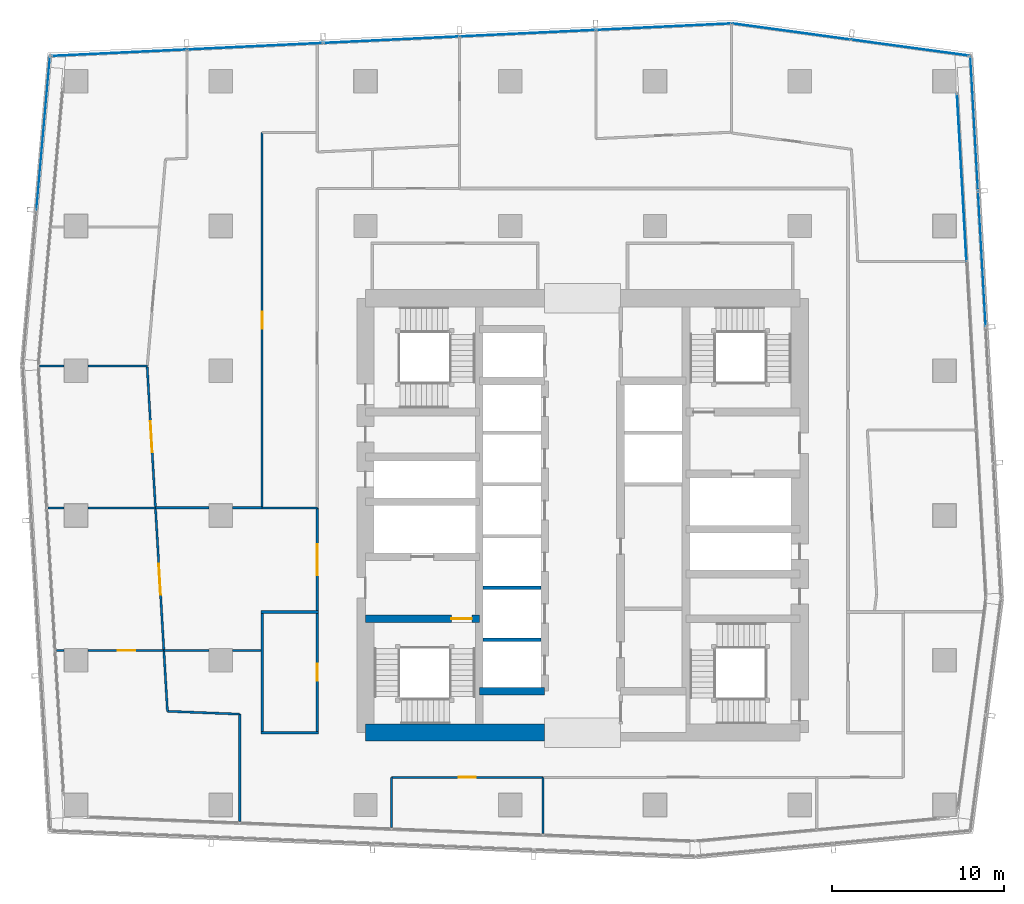
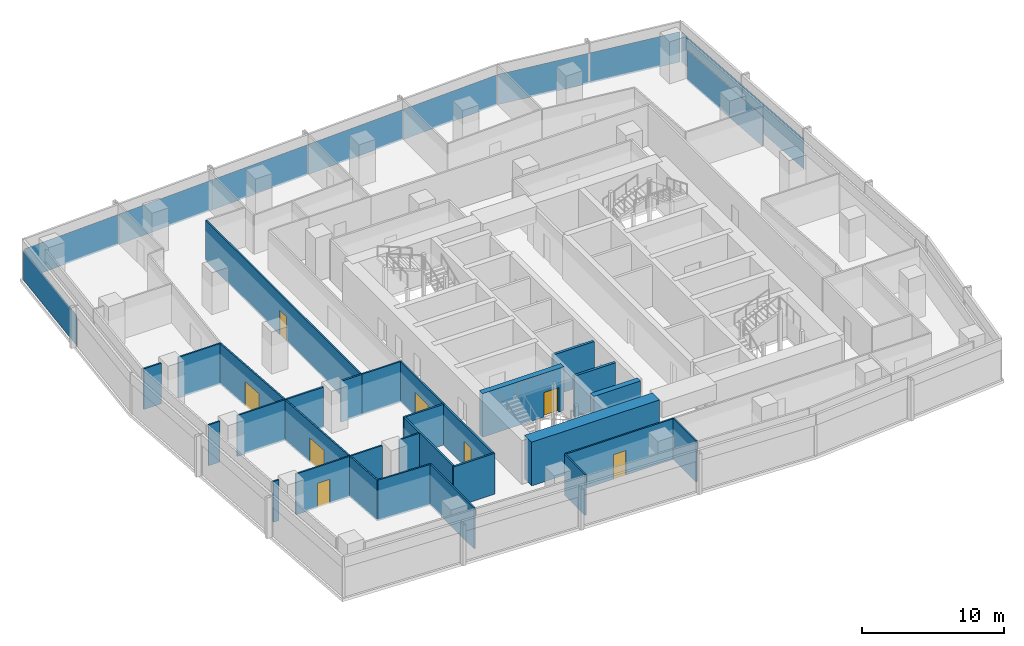
# One storey, part 27 of 39: 30 walls, 11 plates, 8 doors, 8 openings, 5 elements without a shape of their own.
"""IFC4 building model written with IfcOpenShell, lengths in metres."""

from ifc_helpers import new_model, si_unit, direction, frame, frame_2d, origin, origin_2d, place, context, subcontext, project, spatial, rectangle, extrude, material, layer, layer_set, type_object, element, fill, aggregate, save


model = new_model("IFC4")

# Units and contexts
model_context = context("Model", 3, precision=1e-05, world=origin(), true_north=direction((0.0, 1.0)))
body_context = subcontext(model_context, "Body", "Model", "MODEL_VIEW")
ifc_project = project(units=[si_unit("LENGTHUNIT", "METRE"), si_unit("AREAUNIT", "SQUARE_METRE"), si_unit("VOLUMEUNIT", "CUBIC_METRE"), si_unit("PLANEANGLEUNIT", "RADIAN"), si_unit("MASSUNIT", "GRAM", prefix="KILO")], contexts=[model_context])

# Site, building, storey
site_placement = place(None, origin())
site = spatial("IfcSite", under=ifc_project, at=site_placement, CompositionType="ELEMENT")
building_placement = place(site_placement, origin())
building = spatial("IfcBuilding", under=site, at=building_placement, Name="Rekha Terrace Tower", CompositionType="ELEMENT")
storey_placement = place(building_placement, frame((0.0, 0.0, 217.699951171875)))
storey = spatial("IfcBuildingStorey", under=building, at=storey_placement, Name="L55", CompositionType="ELEMENT", Elevation=217.699951171875)

# Curtain wall, plate
ifc_material_1 = material(Name="Aluminium framing", Category="aluminium")
curtain_wall_type_1 = type_object("IfcCurtainWallType", Name="CW1 double skin inner glazing", PredefinedType="USERDEFINED", material=ifc_material_1)
curtain_wall_1_placement = place(storey_placement, origin())
curtain_wall_1 = element("IfcCurtainWall", 1, at=curtain_wall_1_placement, inside=storey, type_object=curtain_wall_type_1, Name="CW1 double skin inner glazing", ObjectType="DOUBLE SKIN INNER GLAZING", PredefinedType="USERDEFINED")
ifc_material_2 = material(Name="Double-glazed low-e unit 32", Category="glass")
ifc_layer_1 = layer(ifc_material_2, 0.031982421875)
ifc_layer_set_1 = layer_set([ifc_layer_1], Name="Double-glazed low-e unit 32")
plate_type_1 = type_object("IfcPlateType", Name="CW1 jumbo vision panel, double-glazed low-e unit 32", PredefinedType="CURTAIN_PANEL", material=ifc_layer_set_1)
plate_1_placement = place(storey_placement, frame((59.799560546875, 53.203369140625, 0.0), z_axis=(0.0, 0.0, 1.0), x_axis=(-0.05667319486, 0.998392782919, 0.0)))
plate_1 = element("IfcPlate", 2, at=plate_1_placement, type_object=plate_type_1, Name="CW1 panel 3.1", PredefinedType="CURTAIN_PANEL", context=body_context, shape_type="SweptSolid", body=[
    extrude(rectangle(XDim=9.694091796875, YDim=0.031982421875, at=origin_2d()), origin(), (0.0, 0.0, 1.0), 2.60009765625),
])
aggregate(curtain_wall_1, [plate_1])

# Curtain wall, plates
curtain_wall_type_2 = type_object("IfcCurtainWallType", Name="CW2 double skin outer glazing", PredefinedType="USERDEFINED", material=ifc_material_1)
curtain_wall_2_placement = place(storey_placement, origin())
curtain_wall_2 = element("IfcCurtainWall", 3, at=curtain_wall_2_placement, inside=storey, type_object=curtain_wall_type_2, Name="CW2 double skin outer glazing", ObjectType="DOUBLE SKIN OUTER GLAZING", PredefinedType="USERDEFINED")
ifc_material_3 = material(Name="Toughened single glazing 12", Category="glass")
ifc_layer_2 = layer(ifc_material_3, 0.011962890625)
ifc_layer_set_2 = layer_set([ifc_layer_2], Name="Toughened single glazing 12")
plate_type_2 = type_object("IfcPlateType", Name="CW2 jumbo vision panel, toughened single glazing 12", PredefinedType="CURTAIN_PANEL", material=ifc_layer_set_2)
plate_2_placement = place(storey_placement, frame((60.9697265625, 48.47314453125, 0.0), z_axis=(0.0, 0.0, 1.0), x_axis=(-0.05667319486, 0.998392782919, 0.0)))
plate_2 = element("IfcPlate", 4, at=plate_2_placement, type_object=plate_type_2, Name="CW2 panel 3.1", PredefinedType="CURTAIN_PANEL", context=body_context, shape_type="SweptSolid", body=[
    extrude(rectangle(XDim=7.823486328125, YDim=0.011962890625, at=origin_2d()), origin(), (0.0, 0.0, 1.0), 2.60009765625),
])
plate_3_placement = place(storey_placement, frame((60.522705078125, 56.343994140625, 0.0), z_axis=(0.0, 0.0, 1.0), x_axis=(-0.05667319486, 0.998392782919, 0.0)))
plate_3 = element("IfcPlate", 5, at=plate_3_placement, type_object=plate_type_2, Name="CW2 panel 4.1", PredefinedType="CURTAIN_PANEL", context=body_context, shape_type="SweptSolid", body=[
    extrude(rectangle(XDim=7.783447265625, YDim=0.011962890625, at=origin_2d()), origin(), (0.0, 0.0, 1.0), 2.60009765625),
])
aggregate(curtain_wall_2, [plate_2, plate_3])

# Curtain wall, plate
curtain_wall_3_placement = place(storey_placement, origin())
curtain_wall_3 = element("IfcCurtainWall", 6, at=curtain_wall_3_placement, inside=storey, type_object=curtain_wall_type_2, Name="CW2 double skin outer glazing", ObjectType="DOUBLE SKIN OUTER GLAZING", PredefinedType="USERDEFINED")
plate_4_placement = place(storey_placement, frame((6.498779296875, 55.78466796875, 0.0), z_axis=(0.0, 0.0, 1.0), x_axis=(-0.087957985453, -0.996124185428, 0.0)))
plate_4 = element("IfcPlate", 7, at=plate_4_placement, type_object=plate_type_2, Name="CW2 panel 1.1", PredefinedType="CURTAIN_PANEL", context=body_context, shape_type="SweptSolid", body=[
    extrude(rectangle(XDim=8.899658203125, YDim=0.011962890625, at=origin_2d()), origin(), (0.0, 0.0, 1.0), 2.60009765625),
])
aggregate(curtain_wall_3, [plate_4])

# Curtain wall, plates
curtain_wall_type_3 = type_object("IfcCurtainWallType", Name="CW3 north unitised glazing", PredefinedType="USERDEFINED", material=ifc_material_1)
curtain_wall_4_placement = place(storey_placement, origin())
curtain_wall_4 = element("IfcCurtainWall", 8, at=curtain_wall_4_placement, inside=storey, type_object=curtain_wall_type_3, Name="CW3 unitised curtain wall", ObjectType="UNITISED CURTAIN WALL", PredefinedType="USERDEFINED")
ifc_material_4 = material(Name="Double-glazed unit 28", Category="glass")
ifc_layer_3 = layer(ifc_material_4, 0.028076171875)
ifc_layer_set_3 = layer_set([ifc_layer_3], Name="Double-glazed unit 28")
plate_type_3 = type_object("IfcPlateType", Name="CW3 jumbo vision panel, double-glazed unit 28", PredefinedType="CURTAIN_PANEL", material=ifc_layer_set_3)
plate_5_placement = place(storey_placement, frame((56.797119140625, 60.745361328125, 0.0), z_axis=(0.0, 0.0, 1.0), x_axis=(-0.990867270504, 0.134840840416, 0.0)))
plate_5 = element("IfcPlate", 9, at=plate_5_placement, type_object=plate_type_3, Name="CW3 panel 1.1", PredefinedType="CURTAIN_PANEL", context=body_context, shape_type="SweptSolid", body=[
    extrude(rectangle(XDim=6.8486328125, YDim=0.028076171875, at=origin_2d()), origin(), (0.0, 0.0, 1.0), 2.60009765625),
])
plate_6_placement = place(storey_placement, frame((49.906982421875, 61.682861328125, 0.0), z_axis=(0.0, 0.0, 1.0), x_axis=(-0.990867270504, 0.134840840416, 0.0)))
plate_6 = element("IfcPlate", 10, at=plate_6_placement, type_object=plate_type_3, Name="CW3 panel 2.1", PredefinedType="CURTAIN_PANEL", context=body_context, shape_type="SweptSolid", body=[
    extrude(rectangle(XDim=6.918701171875, YDim=0.028076171875, at=origin_2d()), origin(), (0.0, 0.0, 1.0), 2.60009765625),
])
aggregate(curtain_wall_4, [plate_5, plate_6])

curtain_wall_5_placement = place(storey_placement, origin())
curtain_wall_5 = element("IfcCurtainWall", 11, at=curtain_wall_5_placement, inside=storey, type_object=curtain_wall_type_3, Name="CW3 unitised curtain wall", ObjectType="UNITISED CURTAIN WALL", PredefinedType="USERDEFINED")
plate_7_placement = place(storey_placement, frame((42.50732421875, 61.95947265625, 0.0), z_axis=(0.0, 0.0, 1.0), x_axis=(-0.998858906204, -0.047758616983, 0.0)))
plate_7 = element("IfcPlate", 12, at=plate_7_placement, type_object=plate_type_3, Name="CW3 panel 1.1", PredefinedType="CURTAIN_PANEL", context=body_context, shape_type="SweptSolid", body=[
    extrude(rectangle(XDim=7.81298828125, YDim=0.028076171875, at=origin_2d()), origin(), (0.0, 0.0, 1.0), 2.60009765625),
])
plate_8_placement = place(storey_placement, frame((34.61572265625, 61.58203125, 0.0), z_axis=(0.0, 0.0, 1.0), x_axis=(-0.998858906204, -0.047758616983, 0.0)))
plate_8 = element("IfcPlate", 13, at=plate_8_placement, type_object=plate_type_3, Name="CW3 panel 2.1", PredefinedType="CURTAIN_PANEL", context=body_context, shape_type="SweptSolid", body=[
    extrude(rectangle(XDim=7.84814453125, YDim=0.028076171875, at=origin_2d()), origin(), (0.0, 0.0, 1.0), 2.60009765625),
])
plate_9_placement = place(storey_placement, frame((26.70654296875, 61.203857421875, 0.0), z_axis=(0.0, 0.0, 1.0), x_axis=(-0.998858906204, -0.047758616983, 0.0)))
plate_9 = element("IfcPlate", 14, at=plate_9_placement, type_object=plate_type_3, Name="CW3 panel 3.1", PredefinedType="CURTAIN_PANEL", context=body_context, shape_type="SweptSolid", body=[
    extrude(rectangle(XDim=7.84814453125, YDim=0.028076171875, at=origin_2d()), origin(), (0.0, 0.0, 1.0), 2.60009765625),
])
plate_10_placement = place(storey_placement, frame((18.79736328125, 60.82568359375, 0.0), z_axis=(0.0, 0.0, 1.0), x_axis=(-0.998858906204, -0.047758616983, 0.0)))
plate_10 = element("IfcPlate", 15, at=plate_10_placement, type_object=plate_type_3, Name="CW3 panel 4.1", PredefinedType="CURTAIN_PANEL", context=body_context, shape_type="SweptSolid", body=[
    extrude(rectangle(XDim=7.84814453125, YDim=0.028076171875, at=origin_2d()), origin(), (0.0, 0.0, 1.0), 2.60009765625),
])
plate_11_placement = place(storey_placement, frame((10.906005859375, 60.448486328125, 0.0), z_axis=(0.0, 0.0, 1.0), x_axis=(-0.998858906204, -0.047758616983, 0.0)))
plate_11 = element("IfcPlate", 16, at=plate_11_placement, type_object=plate_type_3, Name="CW3 panel 5.1", PredefinedType="CURTAIN_PANEL", context=body_context, shape_type="SweptSolid", body=[
    extrude(rectangle(XDim=7.81298828125, YDim=0.028076171875, at=origin_2d()), origin(), (0.0, 0.0, 1.0), 2.60009765625),
])
aggregate(curtain_wall_5, [plate_7, plate_8, plate_9, plate_10, plate_11])

# Wall
ifc_material_5 = material(Name="Concrete M60", Category="concrete")
ifc_layer_4 = layer(ifc_material_5, 0.449951171875)
ifc_layer_set_4 = layer_set([ifc_layer_4], Name="Concrete M60")
wall_type_1 = type_object("IfcWallType", Name="CI3 450 core internal shear wall", PredefinedType="SHEAR", material=ifc_layer_set_4)
wall_1_placement = place(storey_placement, frame((31.800048828125, 23.39990234375, 0.0), z_axis=(0.0, 0.0, 1.0), x_axis=(1.0, 0.0, 0.0)))
element("IfcWall", 17, at=wall_1_placement, inside=storey, type_object=wall_type_1, Name="Core wall Y234W L55", PredefinedType="SHEAR", context=body_context, shape_type="SweptSolid", body=[
    extrude(rectangle(XDim=3.800048828125, YDim=0.449951171875, at=frame_2d((1.89990234375, 0.0))), origin(), (0.0, 0.0, 1.0), 3.75),
])

# Wall, opening, door
wall_2_placement = place(storey_placement, frame((25.199951171875, 27.60009765625, 0.0), z_axis=(0.0, 0.0, 1.0), x_axis=(1.0, 0.0, 0.0)))
wall_2 = element("IfcWall", 18, at=wall_2_placement, inside=storey, type_object=wall_type_1, Name="Core wall Y276W L55", PredefinedType="SHEAR", context=body_context, shape_type="SweptSolid", body=[
    extrude(rectangle(XDim=6.60009765625, YDim=0.449951171875, at=frame_2d((3.300048828125, 0.0))), origin(), (0.0, 0.0, 1.0), 3.75),
])
opening_1_placement = place(wall_2_placement, frame((4.97509765625, 0.0, 0.0)))
opening_1 = element("IfcOpeningElement", 19, at=opening_1_placement, cuts=wall_2, Name="Opening D1", PredefinedType="OPENING", context=body_context, shape_type="SweptSolid", body=[
    extrude(rectangle(XDim=1.199951171875, YDim=2.10009765625, at=frame_2d((0.60009765625, 1.050048828125))), frame((0.0, 0.23486328125, 0.0), z_axis=(0.0, -1.0, 0.0), x_axis=(1.0, 0.0, 0.0)), (0.0, 0.0, 1.0), 0.469970703125),
])
ifc_material_6 = material(Name="Steel fire door", Category="steel")
door_type_1 = type_object("IfcDoorType", Name="D1 1200x2100 stair fire door", OperationType="SINGLE_SWING_RIGHT", PredefinedType="DOOR", material=ifc_material_6)
door_1_placement = place(opening_1_placement, origin())
door_1 = element("IfcDoor", 20, at=door_1_placement, inside=storey, type_object=door_type_1, Name="Stair ST1 door L55", OperationType="SINGLE_SWING_RIGHT", OverallHeight=2.10009765625, OverallWidth=1.199951171875, PredefinedType="DOOR", context=body_context, shape_type="SweptSolid", body=[
    extrude(rectangle(XDim=1.199951171875, YDim=2.10009765625, at=frame_2d((0.60009765625, 1.050048828125))), frame((0.0, 0.02490234375, 0.0), z_axis=(0.0, -1.0, 0.0), x_axis=(1.0, 0.0, 0.0)), (0.0, 0.0, 1.0), 0.050048828125),
])
fill(opening_1, door_1)

# Walls
ifc_layer_5 = layer(ifc_material_5, 1.0)
ifc_layer_set_5 = layer_set([ifc_layer_5], Name="Concrete M60")
wall_type_2 = type_object("IfcWallType", Name="SW3 1000 core outer shear wall", PredefinedType="SHEAR", material=ifc_layer_set_5)
wall_3_placement = place(storey_placement, frame((25.199951171875, 21.0, 0.0), z_axis=(0.0, 0.0, 1.0), x_axis=(1.0, 0.0, 0.0)))
element("IfcWall", 21, at=wall_3_placement, inside=storey, type_object=wall_type_2, Name="Core wall S1 L55", PredefinedType="SHEAR", context=body_context, shape_type="SweptSolid", body=[
    extrude(rectangle(XDim=10.400146484375, YDim=1.0, at=frame_2d((5.2001953125, 0.0))), origin(), (0.0, 0.0, 1.0), 3.75),
])
ifc_material_7 = material(Name="Concrete block masonry, 1 hour", Category="masonry")
ifc_layer_6 = layer(ifc_material_7, 0.14990234375)
ifc_layer_set_6 = layer_set([ifc_layer_6], Name="Concrete block masonry, 1 hour")
wall_type_3 = type_object("IfcWallType", Name="WP2 150 tenancy partition", PredefinedType="PARTITIONING", material=ifc_layer_set_6)
for number, where, z_axis, x_axis, name in (
    (22, (19.125, 21.0, 0.0), (0.0, 0.0, 1.0), (1.0, 0.0, 0.0), "Men's WC wall L55"),
    (23, (19.125, 28.0, 0.0), (0.0, 0.0, 1.0), (1.0, 0.0, 0.0), "Men's WC wall L55"),
):
    element("IfcWall", number, at=place(storey_placement, frame(where, z_axis=z_axis, x_axis=x_axis)), inside=storey, type_object=wall_type_3, Name=name, PredefinedType="PARTITIONING", context=body_context, shape_type="SweptSolid", body=[
        extrude(rectangle(XDim=3.35009765625, YDim=0.14990234375, at=frame_2d((1.675048828125, 0.0))), origin(), (0.0, 0.0, 1.0), 3.5),
    ])
wall_4_placement = place(storey_placement, frame((19.199951171875, 21.074951171875, 0.0), z_axis=(0.0, 0.0, 1.0), x_axis=(0.0, 1.0, 0.0)))
element("IfcWall", 24, at=wall_4_placement, inside=storey, type_object=wall_type_3, Name="Men's WC wall L55", PredefinedType="PARTITIONING", context=body_context, shape_type="SweptSolid", body=[
    extrude(rectangle(XDim=6.85009765625, YDim=0.14990234375, at=frame_2d((3.425048828125, 0.0))), origin(), (0.0, 0.0, 1.0), 3.5),
])

# Wall, opening, door
wall_5_placement = place(storey_placement, frame((22.39990234375, 21.074951171875, 0.0), z_axis=(0.0, 0.0, 1.0), x_axis=(0.0, 1.0, 0.0)))
wall_5 = element("IfcWall", 25, at=wall_5_placement, inside=storey, type_object=wall_type_3, Name="Men's WC wall L55", PredefinedType="PARTITIONING", context=body_context, shape_type="SweptSolid", body=[
    extrude(rectangle(XDim=6.85009765625, YDim=0.14990234375, at=frame_2d((3.425048828125, 0.0))), origin(), (0.0, 0.0, 1.0), 3.5),
])
opening_2_placement = place(wall_5_placement, frame((2.925048828125, 0.0, 0.0)))
opening_2 = element("IfcOpeningElement", 26, at=opening_2_placement, cuts=wall_5, Name="Opening D3", PredefinedType="OPENING", context=body_context, shape_type="SweptSolid", body=[
    extrude(rectangle(XDim=1.0, YDim=2.10009765625, at=frame_2d((0.5, 1.050048828125))), frame((0.0, 0.0849609375, 0.0), z_axis=(0.0, -1.0, 0.0), x_axis=(1.0, 0.0, 0.0)), (0.0, 0.0, 1.0), 0.169921875),
])
ifc_material_8 = material(Name="Laminated timber fire door", Category="wood")
door_type_2 = type_object("IfcDoorType", Name="D3 1000x2100 WC door", OperationType="SINGLE_SWING_LEFT", PredefinedType="DOOR", material=ifc_material_8)
door_2_placement = place(opening_2_placement, origin())
door_2 = element("IfcDoor", 27, at=door_2_placement, inside=storey, type_object=door_type_2, Name="Door men's wc L55", OperationType="SINGLE_SWING_LEFT", OverallHeight=2.10009765625, OverallWidth=1.0, PredefinedType="DOOR", context=body_context, shape_type="SweptSolid", body=[
    extrude(rectangle(XDim=1.0, YDim=2.10009765625, at=frame_2d((0.5, 1.050048828125))), frame((0.0, 0.02490234375, 0.0), z_axis=(0.0, -1.0, 0.0), x_axis=(1.0, 0.0, 0.0)), (0.0, 0.0, 1.0), 0.050048828125),
])
fill(opening_2, door_2)

# Walls
wall_6_placement = place(storey_placement, frame((19.199951171875, 34.0400390625, 0.0), z_axis=(0.0, 0.0, 1.0), x_axis=(-1.0, 0.0, 0.0)))
element("IfcWall", 28, at=wall_6_placement, inside=storey, type_object=wall_type_3, Name="Partition L55-O1b", PredefinedType="PARTITIONING", context=body_context, shape_type="SweptSolid", body=[
    extrude(rectangle(XDim=1.704833984375, YDim=0.14990234375, at=frame_2d((0.8525390625, 0.0))), origin(), (0.0, 0.0, 1.0), 3.5),
])
wall_7_placement = place(storey_placement, frame((16.10498046875, 34.0400390625, 0.0), z_axis=(0.0, 0.0, 1.0), x_axis=(-1.0, 0.0, 0.0)))
element("IfcWall", 29, at=wall_7_placement, inside=storey, type_object=wall_type_3, Name="Partition L55-O1b", PredefinedType="PARTITIONING", context=body_context, shape_type="SweptSolid", body=[
    extrude(rectangle(XDim=3.093994140625, YDim=0.14990234375, at=frame_2d((1.546875, 0.0))), origin(), (0.0, 0.0, 1.0), 3.5),
])
ifc_material_9 = material(Name="Two layers of fire-rated gypsum board each side on steel studs, acoustic quilt, 1 hour", Category="steel")
ifc_layer_7 = layer(ifc_material_9, 0.125)
ifc_layer_set_7 = layer_set([ifc_layer_7], Name="Two layers of fire-rated gypsum board each side on steel studs, acoustic quilt, 1 hour")
wall_type_4 = type_object("IfcWallType", Name="WP3 125 office partition", PredefinedType="PARTITIONING", material=ifc_layer_set_7)
wall_8_placement = place(storey_placement, frame((35.508056640625, 15.14306640625, 0.0), z_axis=(0.0, 0.0, 1.0), x_axis=(0.0, 1.0, 0.0)))
element("IfcWall", 30, at=wall_8_placement, inside=storey, type_object=wall_type_4, Name="Partition L55-02", PredefinedType="PARTITIONING", context=body_context, shape_type="SweptSolid", body=[
    extrude(rectangle(XDim=3.2568359375, YDim=0.125, at=frame_2d((1.62841796875, 0.0))), origin(), (0.0, 0.0, 1.0), 3.5),
])
wall_9_placement = place(storey_placement, frame((12.534912109375, 42.282958984375, 0.0), z_axis=(0.0, 0.0, 1.0), x_axis=(-1.0, 0.0, 0.0)))
element("IfcWall", 31, at=wall_9_placement, inside=storey, type_object=wall_type_4, Name="Partition L55-09", PredefinedType="PARTITIONING", context=body_context, shape_type="SweptSolid", body=[
    extrude(rectangle(XDim=3.43994140625, YDim=0.125, at=frame_2d((1.719970703125, 0.0))), origin(), (0.0, 0.0, 1.0), 3.5),
])
wall_10_placement = place(storey_placement, frame((7.705078125, 42.282958984375, 0.0), z_axis=(0.0, 0.0, 1.0), x_axis=(-1.0, 0.0, 0.0)))
element("IfcWall", 32, at=wall_10_placement, inside=storey, type_object=wall_type_4, Name="Partition L55-09", PredefinedType="PARTITIONING", context=body_context, shape_type="SweptSolid", body=[
    extrude(rectangle(XDim=1.41015625, YDim=0.125, at=frame_2d((0.705078125, 0.0))), origin(), (0.0, 0.0, 1.0), 3.5),
])

# Wall, opening, door
wall_11_placement = place(storey_placement, frame((12.530029296875, 42.220947265625, 0.0), z_axis=(0.0, 0.0, 1.0), x_axis=(0.058695823025, -0.998275913943, 0.0)))
wall_11 = element("IfcWall", 33, at=wall_11_placement, inside=storey, type_object=wall_type_4, Name="Partition L55-10", PredefinedType="PARTITIONING", context=body_context, shape_type="SweptSolid", body=[
    extrude(rectangle(XDim=8.194091796875, YDim=0.125, at=frame_2d((4.09716796875, 0.0))), origin(), (0.0, 0.0, 1.0), 3.5),
])
opening_3_placement = place(wall_11_placement, frame((3.1650390625, 0.0, 0.0)))
opening_3 = element("IfcOpeningElement", 34, at=opening_3_placement, cuts=wall_11, Name="Opening D8", PredefinedType="OPENING", context=body_context, shape_type="SweptSolid", body=[
    extrude(rectangle(XDim=1.800048828125, YDim=2.10009765625, at=frame_2d((0.89990234375, 1.050048828125))), frame((0.0, 0.072509765625, 0.0), z_axis=(0.0, -1.0, 0.0), x_axis=(1.0, 0.0, 0.0)), (0.0, 0.0, 1.0), 0.14501953125),
])
ifc_material_10 = material(Name="Timber fire door", Category="wood")
door_type_3 = type_object("IfcDoorType", Name="D8 1800x2100 double leaf door", OperationType="DOUBLE_DOOR_SINGLE_SWING", PredefinedType="DOOR", material=ifc_material_10)
door_3_placement = place(opening_3_placement, origin())
door_3 = element("IfcDoor", 35, at=door_3_placement, inside=storey, type_object=door_type_3, Name="Door meeting room L55", OperationType="DOUBLE_DOOR_SINGLE_SWING", OverallHeight=2.10009765625, OverallWidth=1.800048828125, PredefinedType="DOOR", context=body_context, shape_type="SweptSolid", body=[
    extrude(rectangle(XDim=1.800048828125, YDim=2.10009765625, at=frame_2d((0.89990234375, 1.050048828125))), frame((0.0, 0.02490234375, 0.0), z_axis=(0.0, -1.0, 0.0), x_axis=(1.0, 0.0, 0.0)), (0.0, 0.0, 1.0), 0.050048828125),
])
fill(opening_3, door_3)

# Walls
wall_12_placement = place(storey_placement, frame((13.010986328125, 34.041015625, 0.0), z_axis=(0.0, 0.0, 1.0), x_axis=(-1.0, 0.0, 0.0)))
element("IfcWall", 36, at=wall_12_placement, inside=storey, type_object=wall_type_4, Name="Partition L55-10", PredefinedType="PARTITIONING", context=body_context, shape_type="SweptSolid", body=[
    extrude(rectangle(XDim=3.916015625, YDim=0.125, at=frame_2d((1.9580078125, 0.0))), origin(), (0.0, 0.0, 1.0), 3.5),
])
wall_13_placement = place(storey_placement, frame((7.705078125, 34.041015625, 0.0), z_axis=(0.0, 0.0, 1.0), x_axis=(-1.0, 0.0, 0.0)))
element("IfcWall", 37, at=wall_13_placement, inside=storey, type_object=wall_type_4, Name="Partition L55-10", PredefinedType="PARTITIONING", context=body_context, shape_type="SweptSolid", body=[
    extrude(rectangle(XDim=0.925048828125, YDim=0.125, at=frame_2d((0.46240234375, 0.0))), origin(), (0.0, 0.0, 1.0), 3.5),
])
wall_14_placement = place(storey_placement, frame((7.26708984375, 25.76611328125, 0.0), z_axis=(0.0, 0.0, 1.0), x_axis=(1.0, 0.0, 0.0)))
element("IfcWall", 38, at=wall_14_placement, inside=storey, type_object=wall_type_4, Name="Partition L55-11", PredefinedType="PARTITIONING", context=body_context, shape_type="SweptSolid", body=[
    extrude(rectangle(XDim=0.43798828125, YDim=0.125, at=frame_2d((0.218994140625, 0.0))), origin(), (0.0, 0.0, 1.0), 3.5),
])

# Wall, opening, door
wall_15_placement = place(storey_placement, frame((9.094970703125, 25.76611328125, 0.0), z_axis=(0.0, 0.0, 1.0), x_axis=(1.0, 0.0, 0.0)))
wall_15 = element("IfcWall", 39, at=wall_15_placement, inside=storey, type_object=wall_type_4, Name="Partition L55-11", PredefinedType="PARTITIONING", context=body_context, shape_type="SweptSolid", body=[
    extrude(rectangle(XDim=4.403076171875, YDim=0.125, at=frame_2d((2.20166015625, 0.0))), origin(), (0.0, 0.0, 1.0), 3.5),
])
opening_4_placement = place(wall_15_placement, frame((1.737060546875, 0.0, 0.0)))
opening_4 = element("IfcOpeningElement", 40, at=opening_4_placement, cuts=wall_15, Name="Opening D9", PredefinedType="OPENING", context=body_context, shape_type="SweptSolid", body=[
    extrude(rectangle(XDim=1.0, YDim=2.10009765625, at=frame_2d((0.5, 1.050048828125))), frame((0.0, 0.072509765625, 0.0), z_axis=(0.0, -1.0, 0.0), x_axis=(1.0, 0.0, 0.0)), (0.0, 0.0, 1.0), 0.14501953125),
])
door_type_4 = type_object("IfcDoorType", Name="D9 1000x2100 office door", OperationType="SINGLE_SWING_LEFT", PredefinedType="DOOR", material=ifc_material_10)
door_4_placement = place(opening_4_placement, origin())
door_4 = element("IfcDoor", 41, at=door_4_placement, inside=storey, type_object=door_type_4, Name="Door director's office L55", OperationType="SINGLE_SWING_LEFT", OverallHeight=2.10009765625, OverallWidth=1.0, PredefinedType="DOOR", context=body_context, shape_type="SweptSolid", body=[
    extrude(rectangle(XDim=1.0, YDim=2.10009765625, at=frame_2d((0.5, 1.050048828125))), frame((0.0, 0.02490234375, 0.0), z_axis=(0.0, -1.0, 0.0), x_axis=(1.0, 0.0, 0.0)), (0.0, 0.0, 1.0), 0.050048828125),
])
fill(opening_4, door_4)

# Walls
wall_16_placement = place(storey_placement, frame((13.498046875, 25.76611328125, 0.0), z_axis=(0.0, 0.0, 1.0), x_axis=(0.058855654346, -0.998266503471, 0.0)))
element("IfcWall", 42, at=wall_16_placement, inside=storey, type_object=wall_type_4, Name="Partition L55-11", PredefinedType="PARTITIONING", context=body_context, shape_type="SweptSolid", body=[
    extrude(rectangle(XDim=3.5341796875, YDim=0.125, at=frame_2d((1.76708984375, 0.0))), origin(), (0.0, 0.0, 1.0), 3.5),
])
wall_17_placement = place(storey_placement, frame((13.7060546875, 22.238037109375, 0.0), z_axis=(0.0, 0.0, 1.0), x_axis=(0.999207821605, -0.039796095841, 0.0)))
element("IfcWall", 43, at=wall_17_placement, inside=storey, type_object=wall_type_4, Name="Partition L55-11", PredefinedType="PARTITIONING", context=body_context, shape_type="SweptSolid", body=[
    extrude(rectangle(XDim=4.1962890625, YDim=0.125, at=frame_2d((2.09814453125, 0.0))), origin(), (0.0, 0.0, 1.0), 3.5),
])
wall_18_placement = place(storey_placement, frame((17.89892578125, 22.071044921875, 0.0), z_axis=(0.0, 0.0, 1.0), x_axis=(0.0, -1.0, 0.0)))
element("IfcWall", 44, at=wall_18_placement, inside=storey, type_object=wall_type_4, Name="Partition L55-11", PredefinedType="PARTITIONING", context=body_context, shape_type="SweptSolid", body=[
    extrude(rectangle(XDim=6.22509765625, YDim=0.125, at=frame_2d((3.112548828125, 0.0))), origin(), (0.0, 0.0, 1.0), 3.5),
])

# Wall, opening, door
wall_19_placement = place(storey_placement, frame((26.7041015625, 18.39990234375, 0.0), z_axis=(0.0, 0.0, 1.0), x_axis=(1.0, 0.0, 0.0)))
wall_19 = element("IfcWall", 45, at=wall_19_placement, inside=storey, type_object=wall_type_4, Name="Partition L55-12", PredefinedType="PARTITIONING", context=body_context, shape_type="SweptSolid", body=[
    extrude(rectangle(XDim=8.802978515625, YDim=0.125, at=frame_2d((4.4013671875, 0.0))), origin(), (0.0, 0.0, 1.0), 3.5),
])
opening_5_placement = place(wall_19_placement, frame((3.90087890625, 0.0, 0.0)))
opening_5 = element("IfcOpeningElement", 46, at=opening_5_placement, cuts=wall_19, Name="Opening D9", PredefinedType="OPENING", context=body_context, shape_type="SweptSolid", body=[
    extrude(rectangle(XDim=1.0, YDim=2.10009765625, at=frame_2d((0.5, 1.050048828125))), frame((0.0, 0.072509765625, 0.0), z_axis=(0.0, -1.0, 0.0), x_axis=(1.0, 0.0, 0.0)), (0.0, 0.0, 1.0), 0.14501953125),
])
door_5_placement = place(opening_5_placement, origin())
door_5 = element("IfcDoor", 47, at=door_5_placement, inside=storey, type_object=door_type_4, Name="Door print room L55", OperationType="SINGLE_SWING_LEFT", OverallHeight=2.10009765625, OverallWidth=1.0, PredefinedType="DOOR", context=body_context, shape_type="SweptSolid", body=[
    extrude(rectangle(XDim=1.0, YDim=2.10009765625, at=frame_2d((0.5, 1.050048828125))), frame((0.0, 0.02490234375, 0.0), z_axis=(0.0, -1.0, 0.0), x_axis=(1.0, 0.0, 0.0)), (0.0, 0.0, 1.0), 0.050048828125),
])
fill(opening_5, door_5)

# Walls
wall_20_placement = place(storey_placement, frame((26.7041015625, 15.4951171875, 0.0), z_axis=(0.0, 0.0, 1.0), x_axis=(0.0, 1.0, 0.0)))
element("IfcWall", 48, at=wall_20_placement, inside=storey, type_object=wall_type_4, Name="Partition L55-12", PredefinedType="PARTITIONING", context=body_context, shape_type="SweptSolid", body=[
    extrude(rectangle(XDim=2.90478515625, YDim=0.125, at=frame_2d((1.452392578125, 0.0))), origin(), (0.0, 0.0, 1.0), 3.5),
])
wall_21_placement = place(storey_placement, frame((22.39990234375, 34.0400390625, 0.0), z_axis=(0.0, 0.0, 1.0), x_axis=(-1.0, 0.0, 0.0)))
element("IfcWall", 49, at=wall_21_placement, inside=storey, type_object=wall_type_4, Name="Partition L55-13", PredefinedType="PARTITIONING", context=body_context, shape_type="SweptSolid", body=[
    extrude(rectangle(XDim=3.199951171875, YDim=0.125, at=frame_2d((1.60009765625, 0.0))), origin(), (0.0, 0.0, 1.0), 3.5),
])

# Wall, opening, door
wall_22_placement = place(storey_placement, frame((19.199951171875, 34.0400390625, 0.0), z_axis=(0.0, 0.0, 1.0), x_axis=(0.0, 1.0, 0.0)))
wall_22 = element("IfcWall", 50, at=wall_22_placement, inside=storey, type_object=wall_type_4, Name="Partition L55-13", PredefinedType="PARTITIONING", context=body_context, shape_type="SweptSolid", body=[
    extrude(rectangle(XDim=21.7890625, YDim=0.125, at=frame_2d((10.89453125, 0.0))), origin(), (0.0, 0.0, 1.0), 3.5),
])
opening_6_placement = place(wall_22_placement, frame((10.39501953125, 0.0, 0.0)))
opening_6 = element("IfcOpeningElement", 51, at=opening_6_placement, cuts=wall_22, Name="Opening D9", PredefinedType="OPENING", context=body_context, shape_type="SweptSolid", body=[
    extrude(rectangle(XDim=1.0, YDim=2.10009765625, at=frame_2d((0.5, 1.050048828125))), frame((0.0, 0.072509765625, 0.0), z_axis=(0.0, -1.0, 0.0), x_axis=(1.0, 0.0, 0.0)), (0.0, 0.0, 1.0), 0.14501953125),
])
door_6_placement = place(opening_6_placement, origin())
door_6 = element("IfcDoor", 52, at=door_6_placement, inside=storey, type_object=door_type_4, Name="Door open-plan office L55", OperationType="SINGLE_SWING_LEFT", OverallHeight=2.10009765625, OverallWidth=1.0, PredefinedType="DOOR", context=body_context, shape_type="SweptSolid", body=[
    extrude(rectangle(XDim=1.0, YDim=2.10009765625, at=frame_2d((0.5, 1.050048828125))), frame((0.0, 0.02490234375, 0.0), z_axis=(0.0, -1.0, 0.0), x_axis=(1.0, 0.0, 0.0)), (0.0, 0.0, 1.0), 0.050048828125),
])
fill(opening_6, door_6)

wall_23_placement = place(storey_placement, frame((13.010986328125, 34.0400390625, 0.0), z_axis=(0.0, 0.0, 1.0), x_axis=(0.058765190518, -0.998271832911, 0.0)))
wall_23 = element("IfcWall", 53, at=wall_23_placement, inside=storey, type_object=wall_type_4, Name="Partition L55-15", PredefinedType="PARTITIONING", context=body_context, shape_type="SweptSolid", body=[
    extrude(rectangle(XDim=8.288330078125, YDim=0.125, at=frame_2d((4.14404296875, 0.0))), origin(), (0.0, 0.0, 1.0), 3.5),
])
opening_7_placement = place(wall_23_placement, frame((3.243896484375, 0.0, 0.0)))
opening_7 = element("IfcOpeningElement", 54, at=opening_7_placement, cuts=wall_23, Name="Opening D8", PredefinedType="OPENING", context=body_context, shape_type="SweptSolid", body=[
    extrude(rectangle(XDim=1.800048828125, YDim=2.10009765625, at=frame_2d((0.89990234375, 1.050048828125))), frame((0.0, 0.072509765625, 0.0), z_axis=(0.0, -1.0, 0.0), x_axis=(1.0, 0.0, 0.0)), (0.0, 0.0, 1.0), 0.14501953125),
])
door_7_placement = place(opening_7_placement, origin())
door_7 = element("IfcDoor", 55, at=door_7_placement, inside=storey, type_object=door_type_3, Name="Door board meeting room L55", OperationType="DOUBLE_DOOR_SINGLE_SWING", OverallHeight=2.10009765625, OverallWidth=1.800048828125, PredefinedType="DOOR", context=body_context, shape_type="SweptSolid", body=[
    extrude(rectangle(XDim=1.800048828125, YDim=2.10009765625, at=frame_2d((0.89990234375, 1.050048828125))), frame((0.0, 0.02490234375, 0.0), z_axis=(0.0, -1.0, 0.0), x_axis=(1.0, 0.0, 0.0)), (0.0, 0.0, 1.0), 0.050048828125),
])
fill(opening_7, door_7)

# Walls
wall_24_placement = place(storey_placement, frame((19.125, 25.76611328125, 0.0), z_axis=(0.0, 0.0, 1.0), x_axis=(-1.0, 0.0, 0.0)))
element("IfcWall", 56, at=wall_24_placement, inside=storey, type_object=wall_type_4, Name="Partition L55-16", PredefinedType="PARTITIONING", context=body_context, shape_type="SweptSolid", body=[
    extrude(rectangle(XDim=1.6298828125, YDim=0.125, at=frame_2d((0.81494140625, 0.0))), origin(), (0.0, 0.0, 1.0), 3.5),
])
wall_25_placement = place(storey_placement, frame((16.10498046875, 25.76611328125, 0.0), z_axis=(0.0, 0.0, 1.0), x_axis=(-1.0, 0.0, 0.0)))
element("IfcWall", 57, at=wall_25_placement, inside=storey, type_object=wall_type_4, Name="Partition L55-16", PredefinedType="PARTITIONING", context=body_context, shape_type="SweptSolid", body=[
    extrude(rectangle(XDim=2.60693359375, YDim=0.125, at=frame_2d((1.303466796875, 0.0))), origin(), (0.0, 0.0, 1.0), 3.5),
])

# Wall, opening, door
wall_26_placement = place(storey_placement, frame((22.39990234375, 34.0400390625, 0.0), z_axis=(0.0, 0.0, 1.0), x_axis=(0.0, -1.0, 0.0)))
wall_26 = element("IfcWall", 58, at=wall_26_placement, inside=storey, type_object=wall_type_4, Name="Partition L55-16", PredefinedType="PARTITIONING", context=body_context, shape_type="SweptSolid", body=[
    extrude(rectangle(XDim=5.965087890625, YDim=0.125, at=frame_2d((2.982421875, 0.0))), origin(), (0.0, 0.0, 1.0), 3.5),
])
opening_8_placement = place(wall_26_placement, frame((2.1201171875, 0.0, 0.0)))
opening_8 = element("IfcOpeningElement", 59, at=opening_8_placement, cuts=wall_26, Name="Opening D8", PredefinedType="OPENING", context=body_context, shape_type="SweptSolid", body=[
    extrude(rectangle(XDim=1.800048828125, YDim=2.10009765625, at=frame_2d((0.89990234375, 1.050048828125))), frame((0.0, 0.072509765625, 0.0), z_axis=(0.0, -1.0, 0.0), x_axis=(1.0, 0.0, 0.0)), (0.0, 0.0, 1.0), 0.14501953125),
])
door_8_placement = place(opening_8_placement, origin())
door_8 = element("IfcDoor", 60, at=door_8_placement, inside=storey, type_object=door_type_3, Name="Door breakout lounge L55", OperationType="DOUBLE_DOOR_SINGLE_SWING", OverallHeight=2.10009765625, OverallWidth=1.800048828125, PredefinedType="DOOR", context=body_context, shape_type="SweptSolid", body=[
    extrude(rectangle(XDim=1.800048828125, YDim=2.10009765625, at=frame_2d((0.89990234375, 1.050048828125))), frame((0.0, 0.02490234375, 0.0), z_axis=(0.0, -1.0, 0.0), x_axis=(1.0, 0.0, 0.0)), (0.0, 0.0, 1.0), 0.050048828125),
])
fill(opening_8, door_8)

# Walls
ifc_material_11 = material(Name="Solid concrete block masonry, 2 hour", Category="masonry")
ifc_layer_8 = layer(ifc_material_11, 0.199951171875)
ifc_layer_set_8 = layer_set([ifc_layer_8], Name="Solid concrete block masonry, 2 hour")
wall_type_5 = type_object("IfcWallType", Name="WS1 200 stair and shaft enclosure", PredefinedType="PARTITIONING", material=ifc_layer_set_8)
for number, where, z_axis, x_axis, name in (
    (61, (32.02490234375, 26.39990234375, 0.0), (0.0, 0.0, 1.0), (1.0, 0.0, 0.0), "Lift shaft divider L55"),
    (62, (32.02490234375, 29.39990234375, 0.0), (0.0, 0.0, 1.0), (1.0, 0.0, 0.0), "Lift shaft divider L55"),
):
    element("IfcWall", number, at=place(storey_placement, frame(where, z_axis=z_axis, x_axis=x_axis)), inside=storey, type_object=wall_type_5, Name=name, PredefinedType="PARTITIONING", context=body_context, shape_type="SweptSolid", body=[
        extrude(rectangle(XDim=3.35009765625, YDim=0.199951171875, at=frame_2d((1.675048828125, 0.0))), origin(), (0.0, 0.0, 1.0), 3.5),
    ])

save(model, "model.ifc")
